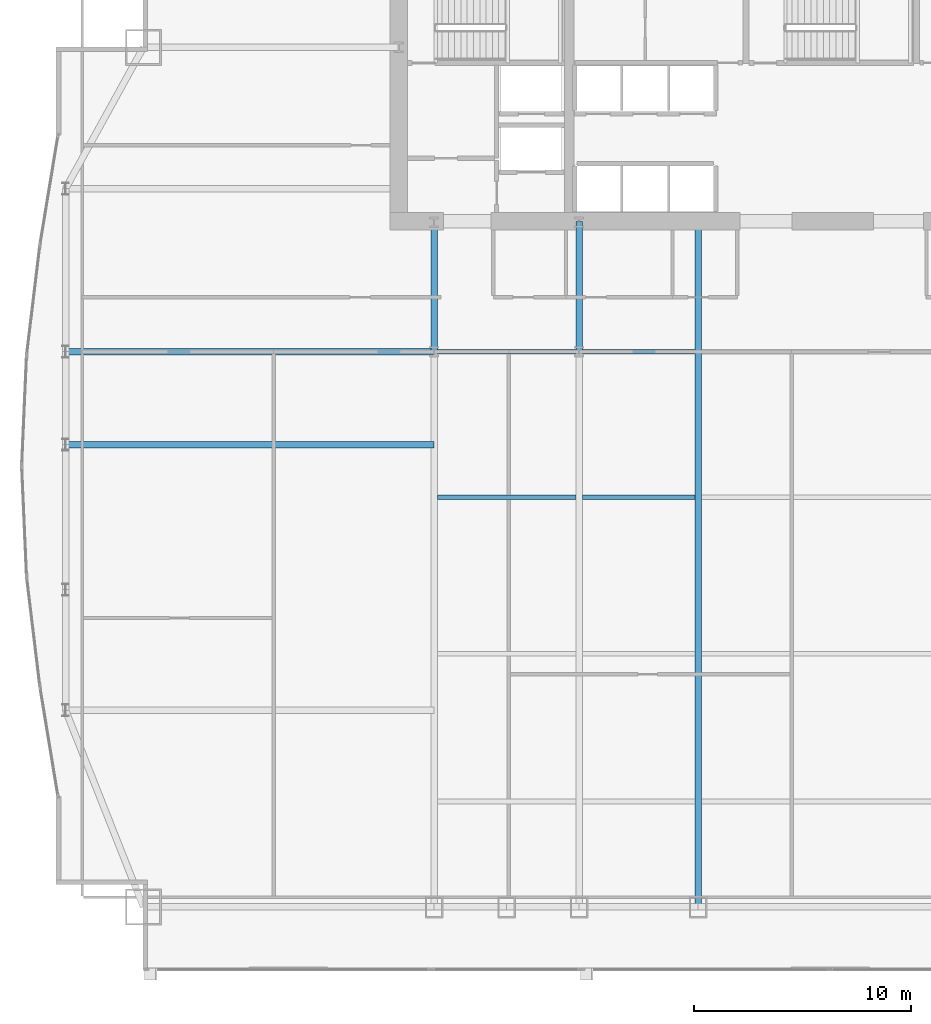
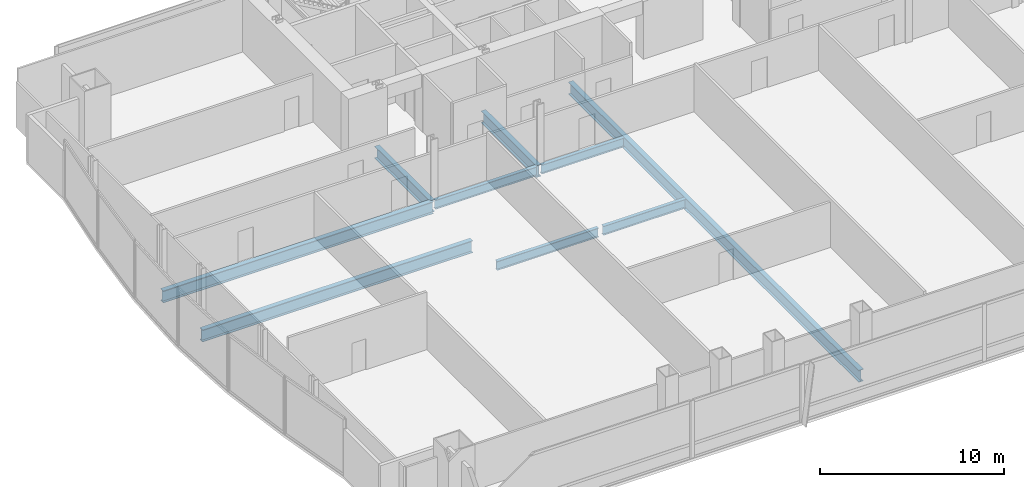
# One storey, part 11 of 32: 9 beams.
"""IFC4 building model written with IfcOpenShell, lengths in metres."""

from ifc_helpers import new_model, si_unit, direction, frame, origin, origin_2d, place, context, subcontext, project, spatial, i_section, extrude, material, material_profile, profile_set, type_object, element, save


model = new_model("IFC4")

# Units and contexts
model_context = context("Model", 3, precision=1e-05, world=origin(), true_north=direction((0.0, 1.0)))
body_context = subcontext(model_context, "Body", "Model", "MODEL_VIEW")
ifc_project = project(units=[si_unit("LENGTHUNIT", "METRE"), si_unit("AREAUNIT", "SQUARE_METRE"), si_unit("VOLUMEUNIT", "CUBIC_METRE"), si_unit("PLANEANGLEUNIT", "RADIAN"), si_unit("MASSUNIT", "GRAM", prefix="KILO")], contexts=[model_context])

# Site, building, storey
site_placement = place(None, origin())
site = spatial("IfcSite", under=ifc_project, at=site_placement, CompositionType="ELEMENT")
building_placement = place(site_placement, origin())
building = spatial("IfcBuilding", under=site, at=building_placement, Name="Khoronbel Lancet Exchange", CompositionType="ELEMENT")
storey_placement = place(building_placement, frame((0.0, 0.0, 65.800048828125)))
storey = spatial("IfcBuildingStorey", under=building, at=storey_placement, Name="L15", CompositionType="ELEMENT", Elevation=65.800048828125)

# Beams
ifc_material = material(Name="Steel S355", Category="steel")
ifc_material_profile_1 = material_profile(ifc_material, i_section(OverallWidth=0.300048828125, OverallDepth=0.800048828125, WebThickness=0.017578125, FlangeThickness=0.032958984375, at=origin_2d()), Name="HEB 800")
ifc_profile_set_1 = profile_set([ifc_material_profile_1], Name="Steel S355")
beam_type_1 = type_object("IfcBeamType", Name="BM-BG2", PredefinedType="BEAM", material=ifc_profile_set_1)
for number, where, z_axis, x_axis, name in (
    (1, (18.22509765625, 35.699951171875, -0.580078125), (0.0, 1.0, 0.0), (-1.0, 0.0, 0.0), "Level L15 spine tie girder GN1"),
    (2, (24.89990234375, 35.699951171875, -0.580078125), (0.0, 1.0, 0.0), (-1.0, 0.0, 0.0), "Level L15 spine tie girder GN2"),
):
    element("IfcBeam", number, at=place(storey_placement, frame(where, z_axis=z_axis, x_axis=x_axis)), inside=storey, type_object=beam_type_1, Name=name, PredefinedType="BEAM", context=body_context, shape_type="SweptSolid", body=[
        extrude(i_section(OverallWidth=0.300048828125, OverallDepth=0.800048828125, WebThickness=0.017578125, FlangeThickness=0.032958984375, at=origin_2d()), origin(), (0.0, 0.0, 1.0), 6.0),
    ])
beam_1_placement = place(storey_placement, frame((30.375, 10.14990234375, -0.580078125), z_axis=(0.0, 1.0, 0.0), x_axis=(-1.0, 0.0, 0.0)))
element("IfcBeam", 3, at=beam_1_placement, inside=storey, type_object=beam_type_1, Name="Level L15 primary floor girder G3", PredefinedType="BEAM", context=body_context, shape_type="SweptSolid", body=[
    extrude(i_section(OverallWidth=0.300048828125, OverallDepth=0.800048828125, WebThickness=0.017578125, FlangeThickness=0.032958984375, at=origin_2d()), origin(), (0.0, 0.0, 1.0), 31.550048828125),
])
for number, where, z_axis, x_axis, name in (
    (4, (1.27001953125, 31.425048828125, -0.580078125), (1.0, 0.0, 0.0), (0.0, 1.0, 0.0), "Level L15 west lens tie girder LG2W"),
    (5, (1.27001953125, 35.699951171875, -0.580078125), (1.0, 0.0, 0.0), (0.0, 1.0, 0.0), "Level L15 west lens tie girder LG4W"),
):
    element("IfcBeam", number, at=place(storey_placement, frame(where, z_axis=z_axis, x_axis=x_axis)), inside=storey, type_object=beam_type_1, Name=name, PredefinedType="BEAM", context=body_context, shape_type="SweptSolid", body=[
        extrude(i_section(OverallWidth=0.300048828125, OverallDepth=0.800048828125, WebThickness=0.017578125, FlangeThickness=0.032958984375, at=origin_2d()), origin(), (0.0, 0.0, 1.0), 16.955078125),
    ])
ifc_material_profile_2 = material_profile(ifc_material, i_section(OverallWidth=0.219970703125, OverallDepth=0.60009765625, WebThickness=0.011962890625, FlangeThickness=0.01904296875, at=origin_2d()), Name="IPE 600")
ifc_profile_set_2 = profile_set([ifc_material_profile_2], Name="Steel S355")
beam_type_2 = type_object("IfcBeamType", Name="BM-BJ1", PredefinedType="JOIST", material=ifc_profile_set_2)
beam_2_placement = place(storey_placement, frame((18.375, 29.0, -0.47998046875), z_axis=(1.0, 0.0, 0.0), x_axis=(0.0, 1.0, 0.0)))
element("IfcBeam", 6, at=beam_2_placement, inside=storey, type_object=beam_type_2, Name="Level L15 secondary composite joist J11", PredefinedType="JOIST", context=body_context, shape_type="SweptSolid", body=[
    extrude(i_section(OverallWidth=0.219970703125, OverallDepth=0.60009765625, WebThickness=0.011962890625, FlangeThickness=0.01904296875, at=origin_2d()), origin(), (0.0, 0.0, 1.0), 6.375),
])
beam_3_placement = place(storey_placement, frame((25.050048828125, 29.0, -0.47998046875), z_axis=(1.0, 0.0, 0.0), x_axis=(0.0, 1.0, 0.0)))
element("IfcBeam", 7, at=beam_3_placement, inside=storey, type_object=beam_type_2, Name="Level L15 secondary composite joist J12", PredefinedType="JOIST", context=body_context, shape_type="SweptSolid", body=[
    extrude(i_section(OverallWidth=0.219970703125, OverallDepth=0.60009765625, WebThickness=0.011962890625, FlangeThickness=0.01904296875, at=origin_2d()), origin(), (0.0, 0.0, 1.0), 5.175048828125),
])
beam_4_placement = place(storey_placement, frame((18.375, 35.699951171875, -0.47998046875), z_axis=(1.0, 0.0, 0.0), x_axis=(0.0, 1.0, 0.0)))
element("IfcBeam", 8, at=beam_4_placement, inside=storey, type_object=beam_type_2, Name="Level L15 secondary composite joist J16", PredefinedType="JOIST", context=body_context, shape_type="SweptSolid", body=[
    extrude(i_section(OverallWidth=0.219970703125, OverallDepth=0.60009765625, WebThickness=0.011962890625, FlangeThickness=0.01904296875, at=origin_2d()), origin(), (0.0, 0.0, 1.0), 6.375),
])
beam_5_placement = place(storey_placement, frame((25.050048828125, 35.699951171875, -0.47998046875), z_axis=(1.0, 0.0, 0.0), x_axis=(0.0, 1.0, 0.0)))
element("IfcBeam", 9, at=beam_5_placement, inside=storey, type_object=beam_type_2, Name="Level L15 secondary composite joist J17", PredefinedType="JOIST", context=body_context, shape_type="SweptSolid", body=[
    extrude(i_section(OverallWidth=0.219970703125, OverallDepth=0.60009765625, WebThickness=0.011962890625, FlangeThickness=0.01904296875, at=origin_2d()), origin(), (0.0, 0.0, 1.0), 5.175048828125),
])

save(model, "model.ifc")
